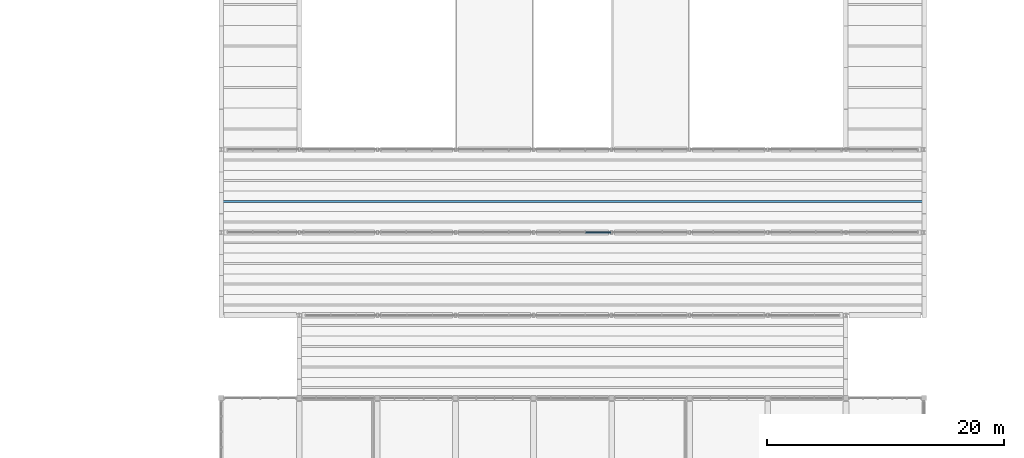
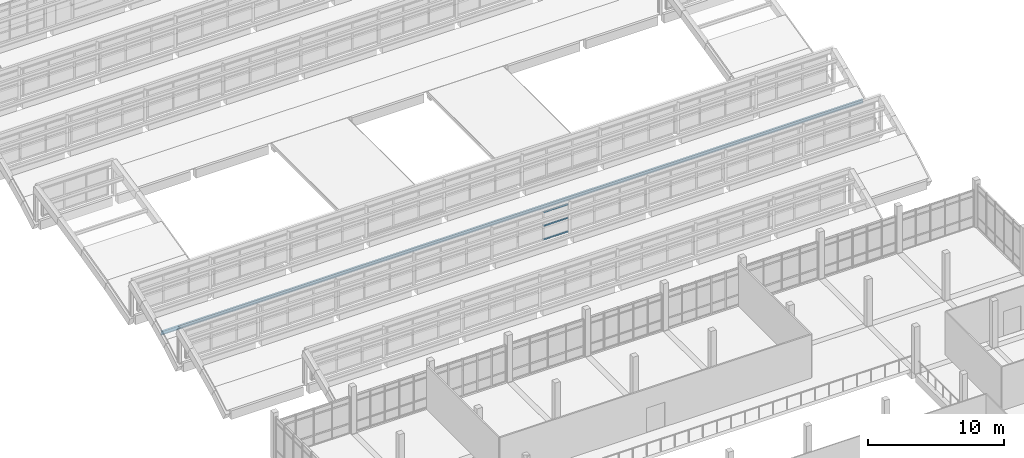
# One storey, part 28 of 92: 4 members, 1 element without a shape of its own.
"""IFC4 building model written with IfcOpenShell, lengths in metres."""

from ifc_helpers import new_model, si_unit, direction, frame, origin, origin_2d, place, context, subcontext, project, spatial, rectangle, i_section, extrude, material, material_profile, profile_set, type_object, element, aggregate, save


model = new_model("IFC4")

# Units and contexts
model_context = context("Model", 3, precision=1e-05, world=origin(), true_north=direction((0.0, 1.0)))
body_context = subcontext(model_context, "Body", "Model", "MODEL_VIEW")
ifc_project = project(units=[si_unit("LENGTHUNIT", "METRE"), si_unit("AREAUNIT", "SQUARE_METRE"), si_unit("VOLUMEUNIT", "CUBIC_METRE"), si_unit("PLANEANGLEUNIT", "RADIAN"), si_unit("MASSUNIT", "GRAM", prefix="KILO")], contexts=[model_context])

# Site, building, storey
site_placement = place(None, origin())
site = spatial("IfcSite", under=ifc_project, at=site_placement, CompositionType="ELEMENT")
building_placement = place(site_placement, origin())
building = spatial("IfcBuilding", under=site, at=building_placement, Name="Ciguamira Faculty of Natural Sciences", CompositionType="ELEMENT")
storey_placement = place(building_placement, frame((0.0, 0.0, 16.800048828125)))
storey = spatial("IfcBuildingStorey", under=building, at=storey_placement, Name="L04", CompositionType="ELEMENT", Elevation=16.800048828125)

# Curtain wall, members
ifc_material_1 = material(Name="Anodized aluminium curtain wall", Category="aluminium")
curtain_wall_type = type_object("IfcCurtainWallType", Name="CurtainWall_CW-03", PredefinedType="USERDEFINED", material=ifc_material_1)
curtain_wall_placement = place(storey_placement, origin())
curtain_wall = element("IfcCurtainWall", 1, at=curtain_wall_placement, inside=storey, type_object=curtain_wall_type, Name="V4 north-light wave 2 clerestory glazing 1", ObjectType="UNITISED CURTAIN WALL", PredefinedType="USERDEFINED")
ifc_material_2 = material(Name="Anodized aluminium transom", Category="aluminium")
ifc_material_profile_1 = material_profile(ifc_material_2, rectangle(XDim=0.070068359375, YDim=0.139892578125, at=origin_2d()), Name="ALU-TRN-70X140")
ifc_profile_set_1 = profile_set([ifc_material_profile_1], Name="Anodized aluminium transom")
member_type_1 = type_object("IfcMemberType", Name="CWTransom_CWT-02", PredefinedType="USERDEFINED", material=ifc_profile_set_1)
member_1_placement = place(storey_placement, frame((88.116455078125, 52.0, 0.284912109375), z_axis=(1.0, 0.0, 0.0), x_axis=(0.0, 0.0, 1.0)))
member_1 = element("IfcMember", 2, at=member_1_placement, type_object=member_type_1, Name="CW-03 transom 15.1", ObjectType="TRANSOM", PredefinedType="USERDEFINED", context=body_context, shape_type="SweptSolid", body=[
    extrude(rectangle(XDim=0.070068359375, YDim=0.139892578125, at=origin_2d()), origin(), (0.0, 0.0, 1.0), 2.093017578125),
])
member_2_placement = place(storey_placement, frame((88.116455078125, 52.0, 1.5), z_axis=(1.0, 0.0, 0.0), x_axis=(0.0, 0.0, 1.0)))
member_2 = element("IfcMember", 3, at=member_2_placement, type_object=member_type_1, Name="CW-03 transom 15.2", ObjectType="TRANSOM", PredefinedType="USERDEFINED", context=body_context, shape_type="SweptSolid", body=[
    extrude(rectangle(XDim=0.070068359375, YDim=0.139892578125, at=origin_2d()), origin(), (0.0, 0.0, 1.0), 2.093017578125),
])
member_3_placement = place(storey_placement, frame((88.116455078125, 52.0, 2.71484375), z_axis=(1.0, 0.0, 0.0), x_axis=(0.0, 0.0, 1.0)))
member_3 = element("IfcMember", 4, at=member_3_placement, type_object=member_type_1, Name="CW-03 transom 15.3", ObjectType="TRANSOM", PredefinedType="USERDEFINED", context=body_context, shape_type="SweptSolid", body=[
    extrude(rectangle(XDim=0.070068359375, YDim=0.139892578125, at=origin_2d()), origin(), (0.0, 0.0, 1.0), 2.093017578125),
])
aggregate(curtain_wall, [member_1, member_2, member_3])

# Member
ifc_material_3 = material(Name="Steel ASTM A992 Grade 50", Category="steel")
ifc_material_profile_2 = material_profile(ifc_material_3, i_section(OverallWidth=0.164794921875, OverallDepth=0.309814453125, WebThickness=0.005859375, FlangeThickness=0.009765625, at=origin_2d()), Name="W12X26")
ifc_profile_set_2 = profile_set([ifc_material_profile_2], Name="Steel ASTM A992 Grade 50")
member_type_2 = type_object("IfcMemberType", Name="SteelMember_PR-02_W12X26", PredefinedType="PURLIN", material=ifc_profile_set_2)
member_4_placement = place(storey_placement, frame((57.300048828125, 54.625, 1.091552734375), z_axis=(1.0, 0.0, 0.0), x_axis=(0.0, 1.0, 0.0)))
element("IfcMember", 5, at=member_4_placement, inside=storey, type_object=member_type_2, Name="V4 wave roof steel purlin 3-1-2", PredefinedType="PURLIN", context=body_context, shape_type="SweptSolid", body=[
    extrude(i_section(OverallWidth=0.164794921875, OverallDepth=0.309814453125, WebThickness=0.005859375, FlangeThickness=0.009765625, at=origin_2d()), origin(), (0.0, 0.0, 1.0), 59.39990234375),
])

save(model, "model.ifc")
